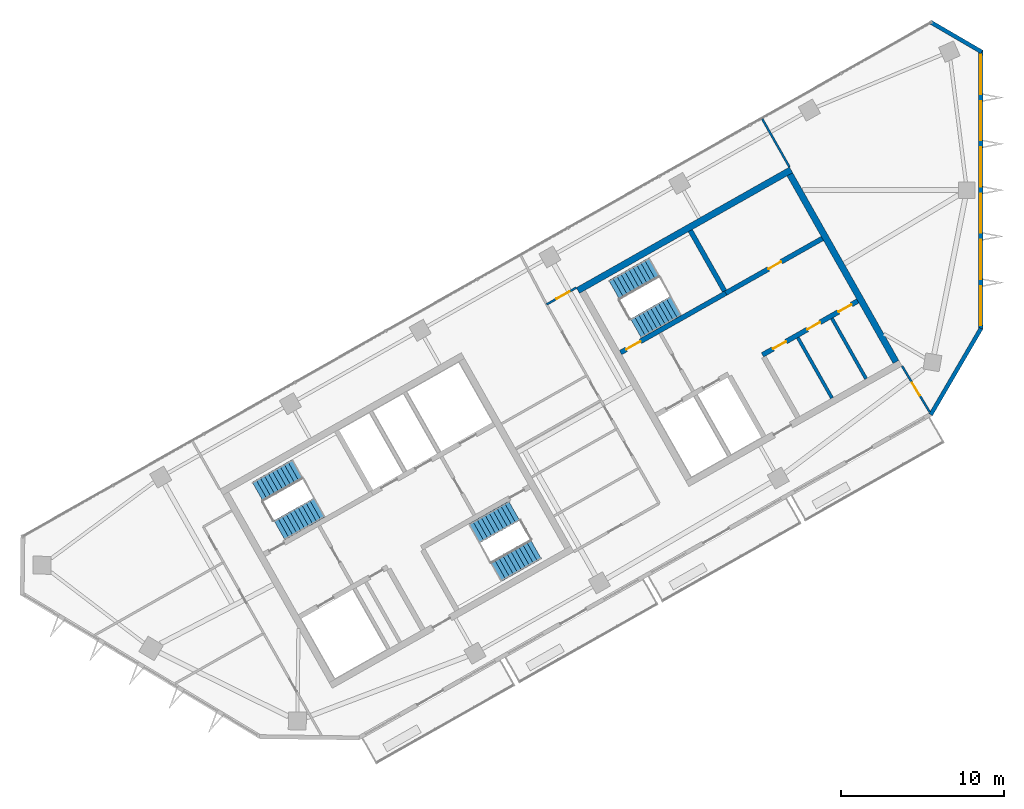
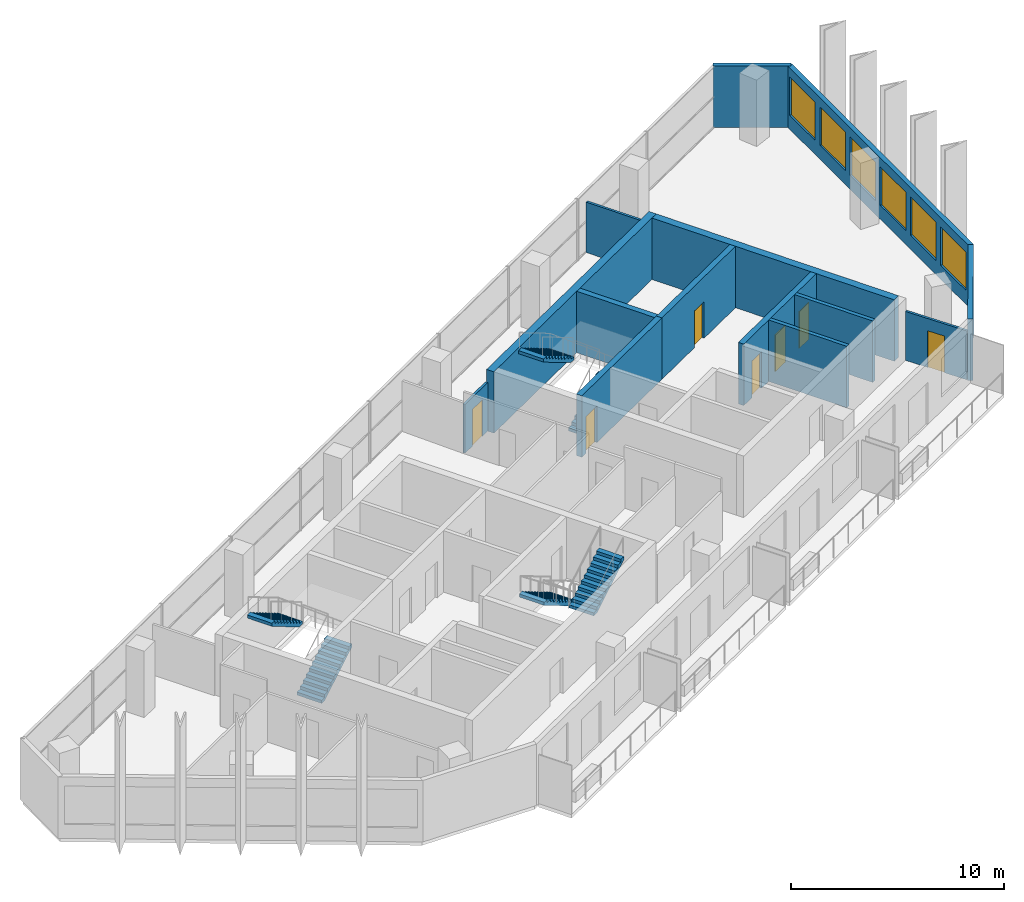
# One storey, part 8 of 10: 14 walls, 7 doors, 6 stair flights, 6 windows, 13 openings, 3 elements without a shape of their own.
"""IFC4 building model written with IfcOpenShell, lengths in metres."""

from ifc_helpers import new_model, si_unit, direction, frame, frame_2d, origin, place, context, subcontext, project, spatial, polyline, rectangle, outline, extrude, material, layer, layer_set, type_object, element, fill, aggregate, save


model = new_model("IFC4")

# Units and contexts
model_context = context("Model", 3, precision=1e-05, world=origin(), true_north=direction((0.0, 1.0)))
body_context = subcontext(model_context, "Body", "Model", "MODEL_VIEW")
ifc_project = project(units=[si_unit("LENGTHUNIT", "METRE"), si_unit("AREAUNIT", "SQUARE_METRE"), si_unit("VOLUMEUNIT", "CUBIC_METRE"), si_unit("PLANEANGLEUNIT", "RADIAN"), si_unit("MASSUNIT", "GRAM", prefix="KILO")], contexts=[model_context])

# Site, building, storey
site_placement = place(None, origin())
site = spatial("IfcSite", under=ifc_project, at=site_placement, CompositionType="ELEMENT")
building_placement = place(site_placement, origin())
building = spatial("IfcBuilding", under=site, at=building_placement, Name="Binnacle Exchange Tower", CompositionType="ELEMENT")
storey_placement = place(building_placement, frame((0.0, 0.0, 339.300048828125)))
storey = spatial("IfcBuildingStorey", under=building, at=storey_placement, Name="L77", CompositionType="ELEMENT", Elevation=339.300048828125)

# Walls
ifc_material_1 = material(Name="Gypsum partition fire rated")
ifc_layer_1 = layer(ifc_material_1, 0.199951171875)
ifc_layer_set_1 = layer_set([ifc_layer_1], Name="Core partition 200")
wall_type_1 = type_object("IfcWallType", Name="Core partition 200", PredefinedType="PARTITIONING", material=ifc_layer_set_1)
wall_1_placement = place(storey_placement, frame((-11.201904296875, 50.96240234375, 0.0), z_axis=(0.0, 0.0, 1.0), x_axis=(0.492441437811, -0.870345580977, 0.0)))
element("IfcWall", 1, at=wall_1_placement, inside=storey, type_object=wall_type_1, Name="Core wall CRWC19", PredefinedType="PARTITIONING", context=body_context, shape_type="SweptSolid", body=[
    extrude(rectangle(XDim=4.250244140625, YDim=0.199951171875, at=frame_2d((2.125, 0.0))), origin(), (0.0, 0.0, 1.0), 3.52001953125),
])
wall_2_placement = place(storey_placement, frame((-9.11279296875, 52.14404296875, 0.0), z_axis=(0.0, 0.0, 1.0), x_axis=(0.492422543467, -0.870356271124, 0.0)))
element("IfcWall", 2, at=wall_2_placement, inside=storey, type_object=wall_type_1, Name="Core wall CRWC22", PredefinedType="PARTITIONING", context=body_context, shape_type="SweptSolid", body=[
    extrude(rectangle(XDim=4.25, YDim=0.199951171875, at=frame_2d((2.125, 0.0))), origin(), (0.0, 0.0, 1.0), 3.52001953125),
])

# Wall, openings, doors
ifc_material_2 = material(Name="Concrete C70/85", Category="concrete")
ifc_layer_2 = layer(ifc_material_2, 0.300048828125)
ifc_layer_set_2 = layer_set([ifc_layer_2], Name="Core wall - front 300")
wall_type_2 = type_object("IfcWallType", Name="Core wall - front 300", PredefinedType="SOLIDWALL", material=ifc_layer_set_2)
wall_3_placement = place(storey_placement, frame((-13.364501953125, 49.910888671875, 0.0), z_axis=(0.0, 0.0, 1.0), x_axis=(0.870347618718, 0.492437836272, 0.0)))
wall_3 = element("IfcWall", 3, at=wall_3_placement, inside=storey, type_object=wall_type_2, Name="Core wall CRWC3", PredefinedType="SOLIDWALL", context=body_context, shape_type="SweptSolid", body=[
    extrude(rectangle(XDim=6.699951171875, YDim=0.300048828125, at=frame_2d((3.35009765625, 0.0))), origin(), (0.0, 0.0, 1.0), 3.52001953125),
])
opening_1_placement = place(wall_3_placement, frame((0.75, 0.0, 0.0)))
opening_1 = element("IfcOpeningElement", 4, at=opening_1_placement, cuts=wall_3, Name="Opening DC18", PredefinedType="OPENING", context=body_context, shape_type="SweptSolid", body=[
    extrude(rectangle(XDim=0.89990234375, YDim=2.10009765625, at=frame_2d((0.449951171875, 1.050048828125))), frame((0.0, 0.159912109375, 0.0), z_axis=(0.0, -1.0, 0.0), x_axis=(1.0, 0.0, 0.0)), (0.0, 0.0, 1.0), 0.320068359375),
])
opening_2_placement = place(wall_3_placement, frame((3.14990234375, 0.0, 0.0)))
opening_2 = element("IfcOpeningElement", 5, at=opening_2_placement, cuts=wall_3, Name="Opening DC19", PredefinedType="OPENING", context=body_context, shape_type="SweptSolid", body=[
    extrude(rectangle(XDim=0.89990234375, YDim=2.10009765625, at=frame_2d((0.449951171875, 1.050048828125))), frame((0.0, 0.159912109375, 0.0), z_axis=(0.0, -1.0, 0.0), x_axis=(1.0, 0.0, 0.0)), (0.0, 0.0, 1.0), 0.320068359375),
])
opening_3_placement = place(wall_3_placement, frame((5.35009765625, 0.0, 0.0)))
opening_3 = element("IfcOpeningElement", 6, at=opening_3_placement, cuts=wall_3, Name="Opening DC20", PredefinedType="OPENING", context=body_context, shape_type="SweptSolid", body=[
    extrude(rectangle(XDim=0.89990234375, YDim=2.10009765625, at=frame_2d((0.449951171875, 1.050048828125))), frame((0.0, 0.159912109375, 0.0), z_axis=(0.0, -1.0, 0.0), x_axis=(1.0, 0.0, 0.0)), (0.0, 0.0, 1.0), 0.320068359375),
])
ifc_material_3 = material(Name="Steel door leaf", Category="steel")
door_type_1 = type_object("IfcDoorType", Name="Fire door 900", OperationType="NOTDEFINED", PredefinedType="DOOR", material=ifc_material_3)
door_1_placement = place(opening_1_placement, frame((0.89990234375, 0.0, 0.0), z_axis=(0.0, 0.0, 1.0), x_axis=(-1.0, 0.0, 0.0)))
door_1 = element("IfcDoor", 7, at=door_1_placement, inside=storey, type_object=door_type_1, Name="Core room door FIBRE ENTRY ROOM", OperationType="SINGLE_SWING_RIGHT", OverallHeight=2.10009765625, OverallWidth=0.89990234375, PredefinedType="DOOR", context=body_context, shape_type="SweptSolid", body=[
    extrude(rectangle(XDim=0.89990234375, YDim=2.10009765625, at=frame_2d((0.449951171875, 1.050048828125))), frame((0.0, 0.02490234375, 0.0), z_axis=(0.0, -1.0, 0.0), x_axis=(1.0, 0.0, 0.0)), (0.0, 0.0, 1.0), 0.050048828125),
])
fill(opening_1, door_1)
door_2_placement = place(opening_2_placement, frame((0.89990234375, 0.0, 0.0), z_axis=(0.0, 0.0, 1.0), x_axis=(-1.0, 0.0, 0.0)))
door_2 = element("IfcDoor", 8, at=door_2_placement, inside=storey, type_object=door_type_1, Name="Core room door ELECTRICAL ROOM", OperationType="SINGLE_SWING_LEFT", OverallHeight=2.10009765625, OverallWidth=0.89990234375, PredefinedType="DOOR", context=body_context, shape_type="SweptSolid", body=[
    extrude(rectangle(XDim=0.89990234375, YDim=2.10009765625, at=frame_2d((0.449951171875, 1.050048828125))), frame((0.0, 0.02490234375, 0.0), z_axis=(0.0, -1.0, 0.0), x_axis=(1.0, 0.0, 0.0)), (0.0, 0.0, 1.0), 0.050048828125),
])
fill(opening_2, door_2)
door_3_placement = place(opening_3_placement, frame((0.89990234375, 0.0, 0.0), z_axis=(0.0, 0.0, 1.0), x_axis=(-1.0, 0.0, 0.0)))
door_3 = element("IfcDoor", 9, at=door_3_placement, inside=storey, type_object=door_type_1, Name="Core room door COMMS RISER ROOM", OperationType="SINGLE_SWING_LEFT", OverallHeight=2.10009765625, OverallWidth=0.89990234375, PredefinedType="DOOR", context=body_context, shape_type="SweptSolid", body=[
    extrude(rectangle(XDim=0.89990234375, YDim=2.10009765625, at=frame_2d((0.449951171875, 1.050048828125))), frame((0.0, 0.02490234375, 0.0), z_axis=(0.0, -1.0, 0.0), x_axis=(1.0, 0.0, 0.0)), (0.0, 0.0, 1.0), 0.050048828125),
])
fill(opening_3, door_3)

# Wall, opening, door
wall_4_placement = place(storey_placement, frame((-15.6181640625, 53.69140625, 0.0), z_axis=(0.0, 0.0, 1.0), x_axis=(0.870362830851, 0.492410948978, 0.0)))
wall_4 = element("IfcWall", 10, at=wall_4_placement, inside=storey, type_object=wall_type_2, Name="Core wall CRWC5", PredefinedType="SOLIDWALL", context=body_context, shape_type="SweptSolid", body=[
    extrude(rectangle(XDim=6.800048828125, YDim=0.300048828125, at=frame_2d((3.39990234375, 0.0))), origin(), (0.0, 0.0, 1.0), 3.52001953125),
])
opening_4_placement = place(wall_4_placement, frame((3.0, 0.0, 0.0)))
opening_4 = element("IfcOpeningElement", 11, at=opening_4_placement, cuts=wall_4, Name="Opening DC10", PredefinedType="OPENING", context=body_context, shape_type="SweptSolid", body=[
    extrude(rectangle(XDim=0.89990234375, YDim=2.10009765625, at=frame_2d((0.449951171875, 1.050048828125))), frame((0.0, 0.159912109375, 0.0), z_axis=(0.0, -1.0, 0.0), x_axis=(1.0, 0.0, 0.0)), (0.0, 0.0, 1.0), 0.320068359375),
])
door_4_placement = place(opening_4_placement, origin())
door_4 = element("IfcDoor", 12, at=door_4_placement, inside=storey, type_object=door_type_1, Name="Core room door WORKSHOP STORE", OperationType="SINGLE_SWING_RIGHT", OverallHeight=2.10009765625, OverallWidth=0.89990234375, PredefinedType="DOOR", context=body_context, shape_type="SweptSolid", body=[
    extrude(rectangle(XDim=0.89990234375, YDim=2.10009765625, at=frame_2d((0.449951171875, 1.050048828125))), frame((0.0, 0.02490234375, 0.0), z_axis=(0.0, -1.0, 0.0), x_axis=(1.0, 0.0, 0.0)), (0.0, 0.0, 1.0), 0.050048828125),
])
fill(opening_4, door_4)

# Walls
ifc_layer_3 = layer(ifc_material_2, 0.39990234375)
ifc_layer_set_3 = layer_set([ifc_layer_3], Name="Core wall - outer 400")
wall_type_3 = type_object("IfcWallType", Name="Core wall - outer 400", PredefinedType="SOLIDWALL", material=ifc_layer_set_3)
wall_5_placement = place(storey_placement, frame((-24.672119140625, 53.85400390625, 0.0), z_axis=(0.0, 0.0, 1.0), x_axis=(0.870353598469, 0.492427267353, 0.0)))
element("IfcWall", 13, at=wall_5_placement, inside=storey, type_object=wall_type_3, Name="Core wall CRWC6", PredefinedType="SOLIDWALL", context=body_context, shape_type="SweptSolid", body=[
    extrude(rectangle(XDim=15.000244140625, YDim=0.39990234375, at=frame_2d((7.5, 0.0))), origin(), (0.0, 0.0, 1.0), 3.52001953125),
])
wall_6_placement = place(storey_placement, frame((-11.6923828125, 60.968017578125, 0.0), z_axis=(0.0, 0.0, 1.0), x_axis=(0.492421663121, -0.870356769198, 0.0)))
element("IfcWall", 14, at=wall_6_placement, inside=storey, type_object=wall_type_3, Name="Core wall CRWC24", PredefinedType="SOLIDWALL", context=body_context, shape_type="SweptSolid", body=[
    extrude(rectangle(XDim=13.199951171875, YDim=0.39990234375, at=frame_2d((6.60009765625, 0.0))), origin(), (0.0, 0.0, 1.0), 3.52001953125),
])

# Wall, opening, door
ifc_layer_4 = layer(ifc_material_2, 0.300048828125)
ifc_layer_set_4 = layer_set([ifc_layer_4], Name="Core wall - stair 300")
wall_type_4 = type_object("IfcWallType", Name="Core wall - stair 300", PredefinedType="SOLIDWALL", material=ifc_layer_set_4)
wall_7_placement = place(storey_placement, frame((-22.058837890625, 50.04736328125, 0.0), z_axis=(0.0, 0.0, 1.0), x_axis=(0.87035077051, 0.49243226567, 0.0)))
wall_7 = element("IfcWall", 15, at=wall_7_placement, inside=storey, type_object=wall_type_4, Name="Core wall CRWC4", PredefinedType="SOLIDWALL", context=body_context, shape_type="SweptSolid", body=[
    extrude(rectangle(XDim=7.400146484375, YDim=0.300048828125, at=frame_2d((3.7001953125, 0.0))), origin(), (0.0, 0.0, 1.0), 3.52001953125),
])
opening_5_placement = place(wall_7_placement, frame((0.39990234375, 0.0, 0.0)))
opening_5 = element("IfcOpeningElement", 16, at=opening_5_placement, cuts=wall_7, Name="Opening DC1", PredefinedType="OPENING", context=body_context, shape_type="SweptSolid", body=[
    extrude(rectangle(XDim=1.0, YDim=2.10009765625, at=frame_2d((0.5, 1.050048828125))), frame((0.0, 0.159912109375, 0.0), z_axis=(0.0, -1.0, 0.0), x_axis=(1.0, 0.0, 0.0)), (0.0, 0.0, 1.0), 0.320068359375),
])
door_type_2 = type_object("IfcDoorType", Name="Fire door 1000", OperationType="NOTDEFINED", PredefinedType="DOOR", material=ifc_material_3)
door_5_placement = place(opening_5_placement, origin())
door_5 = element("IfcDoor", 17, at=door_5_placement, inside=storey, type_object=door_type_2, Name="Stair door ST-C1", OperationType="SINGLE_SWING_LEFT", OverallHeight=2.10009765625, OverallWidth=1.0, PredefinedType="DOOR", context=body_context, shape_type="SweptSolid", body=[
    extrude(rectangle(XDim=1.0, YDim=2.10009765625, at=frame_2d((0.5, 1.050048828125))), frame((0.0, 0.02490234375, 0.0), z_axis=(0.0, -1.0, 0.0), x_axis=(1.0, 0.0, 0.0)), (0.0, 0.0, 1.0), 0.050048828125),
])
fill(opening_5, door_5)

# Walls
wall_8_placement = place(storey_placement, frame((-17.784912109375, 57.52099609375, 0.0), z_axis=(0.0, 0.0, 1.0), x_axis=(0.492422543467, -0.870356271124, 0.0)))
element("IfcWall", 18, at=wall_8_placement, inside=storey, type_object=wall_type_4, Name="Core wall CRWC14", PredefinedType="SOLIDWALL", context=body_context, shape_type="SweptSolid", body=[
    extrude(rectangle(XDim=4.25, YDim=0.300048828125, at=frame_2d((2.125, 0.0))), origin(), (0.0, 0.0, 1.0), 3.52001953125),
])
ifc_material_4 = material(Name="Bronze aluminium cladding", Category="aluminium")
ifc_layer_5 = layer(ifc_material_4, 0.25)
ifc_layer_set_5 = layer_set([ifc_layer_5], Name="External wall - window wall 250")
wall_type_5 = type_object("IfcWallType", Name="External wall - window wall 250", PredefinedType="STANDARD", material=ifc_layer_set_5)
wall_9_placement = place(storey_placement, frame((0.01708984375, 51.529296875, 0.0), z_axis=(0.0, 0.0, 1.0), x_axis=(-0.503769237131, -0.863838269424, 0.0)))
element("IfcWall", 19, at=wall_9_placement, inside=storey, type_object=wall_type_5, Name="External wall EW-H00 L77", PredefinedType="STANDARD", context=body_context, shape_type="SweptSolid", body=[
    extrude(rectangle(XDim=6.114501953125, YDim=0.25, at=frame_2d((3.05712890625, 0.0))), origin(), (0.0, 0.0, 1.0), 3.52001953125),
])

# Wall, openings, windows
wall_10_placement = place(storey_placement, frame((0.0, 68.57177734375, 0.0), z_axis=(0.0, 0.0, 1.0), x_axis=(0.0, -1.0, 0.0)))
wall_10 = element("IfcWall", 20, at=wall_10_placement, inside=storey, type_object=wall_type_5, Name="External wall EW-H01 L77", PredefinedType="STANDARD", context=body_context, shape_type="SweptSolid", body=[
    extrude(rectangle(XDim=17.10546875, YDim=0.25, at=frame_2d((8.552734375, 0.0))), origin(), (0.0, 0.0, 1.0), 3.52001953125),
])
opening_6_placement = place(wall_10_placement, frame((14.455078125, 0.0, 0.800048828125)))
opening_6 = element("IfcOpeningElement", 21, at=opening_6_placement, cuts=wall_10, Name="Opening WR2", PredefinedType="OPENING", context=body_context, shape_type="SweptSolid", body=[
    extrude(rectangle(XDim=2.39990234375, YDim=2.199951171875, at=frame_2d((1.199951171875, 1.10009765625))), frame((0.0, 0.135009765625, 0.0), z_axis=(0.0, -1.0, 0.0), x_axis=(1.0, 0.0, 0.0)), (0.0, 0.0, 1.0), 0.27001953125),
])
opening_7_placement = place(wall_10_placement, frame((11.621826171875, 0.0, 0.800048828125)))
opening_7 = element("IfcOpeningElement", 22, at=opening_7_placement, cuts=wall_10, Name="Opening WR2", PredefinedType="OPENING", context=body_context, shape_type="SweptSolid", body=[
    extrude(rectangle(XDim=2.39990234375, YDim=2.199951171875, at=frame_2d((1.199951171875, 1.10009765625))), frame((0.0, 0.135009765625, 0.0), z_axis=(0.0, -1.0, 0.0), x_axis=(1.0, 0.0, 0.0)), (0.0, 0.0, 1.0), 0.27001953125),
])
opening_8_placement = place(wall_10_placement, frame((8.78857421875, 0.0, 0.800048828125)))
opening_8 = element("IfcOpeningElement", 23, at=opening_8_placement, cuts=wall_10, Name="Opening WR2", PredefinedType="OPENING", context=body_context, shape_type="SweptSolid", body=[
    extrude(rectangle(XDim=2.39990234375, YDim=2.199951171875, at=frame_2d((1.199951171875, 1.10009765625))), frame((0.0, 0.135009765625, 0.0), z_axis=(0.0, -1.0, 0.0), x_axis=(1.0, 0.0, 0.0)), (0.0, 0.0, 1.0), 0.27001953125),
])
opening_9_placement = place(wall_10_placement, frame((5.955078125, 0.0, 0.800048828125)))
opening_9 = element("IfcOpeningElement", 24, at=opening_9_placement, cuts=wall_10, Name="Opening WR2", PredefinedType="OPENING", context=body_context, shape_type="SweptSolid", body=[
    extrude(rectangle(XDim=2.39990234375, YDim=2.199951171875, at=frame_2d((1.199951171875, 1.10009765625))), frame((0.0, 0.135009765625, 0.0), z_axis=(0.0, -1.0, 0.0), x_axis=(1.0, 0.0, 0.0)), (0.0, 0.0, 1.0), 0.27001953125),
])
opening_10_placement = place(wall_10_placement, frame((3.121826171875, 0.0, 0.800048828125)))
opening_10 = element("IfcOpeningElement", 25, at=opening_10_placement, cuts=wall_10, Name="Opening WR2", PredefinedType="OPENING", context=body_context, shape_type="SweptSolid", body=[
    extrude(rectangle(XDim=2.39990234375, YDim=2.199951171875, at=frame_2d((1.199951171875, 1.10009765625))), frame((0.0, 0.135009765625, 0.0), z_axis=(0.0, -1.0, 0.0), x_axis=(1.0, 0.0, 0.0)), (0.0, 0.0, 1.0), 0.27001953125),
])
opening_11_placement = place(wall_10_placement, frame((0.28857421875, 0.0, 0.800048828125)))
opening_11 = element("IfcOpeningElement", 26, at=opening_11_placement, cuts=wall_10, Name="Opening WR2", PredefinedType="OPENING", context=body_context, shape_type="SweptSolid", body=[
    extrude(rectangle(XDim=2.39990234375, YDim=2.199951171875, at=frame_2d((1.199951171875, 1.10009765625))), frame((0.0, 0.135009765625, 0.0), z_axis=(0.0, -1.0, 0.0), x_axis=(1.0, 0.0, 0.0)), (0.0, 0.0, 1.0), 0.27001953125),
])
ifc_material_5 = material(Name="Bronze anodised aluminium frame", Category="aluminium")
window_type = type_object("IfcWindowType", Name="WR2 WINDOW 2400x2200", PartitioningType="SINGLE_PANEL", PredefinedType="WINDOW", material=ifc_material_5)
window_1_placement = place(opening_6_placement, origin())
window_1 = element("IfcWindow", 27, at=window_1_placement, inside=storey, type_object=window_type, Name="Window WR2 L77", OverallHeight=2.199951171875, OverallWidth=2.39990234375, PartitioningType="SINGLE_PANEL", PredefinedType="WINDOW", context=body_context, shape_type="SweptSolid", body=[
    extrude(rectangle(XDim=2.39990234375, YDim=2.199951171875, at=frame_2d((1.199951171875, 1.10009765625))), frame((0.0, 0.030029296875, 0.0), z_axis=(0.0, -1.0, 0.0), x_axis=(1.0, 0.0, 0.0)), (0.0, 0.0, 1.0), 0.06005859375),
])
fill(opening_6, window_1)
window_2_placement = place(opening_7_placement, origin())
window_2 = element("IfcWindow", 28, at=window_2_placement, inside=storey, type_object=window_type, Name="Window WR2 L77", OverallHeight=2.199951171875, OverallWidth=2.39990234375, PartitioningType="SINGLE_PANEL", PredefinedType="WINDOW", context=body_context, shape_type="SweptSolid", body=[
    extrude(rectangle(XDim=2.39990234375, YDim=2.199951171875, at=frame_2d((1.199951171875, 1.10009765625))), frame((0.0, 0.030029296875, 0.0), z_axis=(0.0, -1.0, 0.0), x_axis=(1.0, 0.0, 0.0)), (0.0, 0.0, 1.0), 0.06005859375),
])
fill(opening_7, window_2)
window_3_placement = place(opening_8_placement, origin())
window_3 = element("IfcWindow", 29, at=window_3_placement, inside=storey, type_object=window_type, Name="Window WR2 L77", OverallHeight=2.199951171875, OverallWidth=2.39990234375, PartitioningType="SINGLE_PANEL", PredefinedType="WINDOW", context=body_context, shape_type="SweptSolid", body=[
    extrude(rectangle(XDim=2.39990234375, YDim=2.199951171875, at=frame_2d((1.199951171875, 1.10009765625))), frame((0.0, 0.030029296875, 0.0), z_axis=(0.0, -1.0, 0.0), x_axis=(1.0, 0.0, 0.0)), (0.0, 0.0, 1.0), 0.06005859375),
])
fill(opening_8, window_3)
window_4_placement = place(opening_9_placement, origin())
window_4 = element("IfcWindow", 30, at=window_4_placement, inside=storey, type_object=window_type, Name="Window WR2 L77", OverallHeight=2.199951171875, OverallWidth=2.39990234375, PartitioningType="SINGLE_PANEL", PredefinedType="WINDOW", context=body_context, shape_type="SweptSolid", body=[
    extrude(rectangle(XDim=2.39990234375, YDim=2.199951171875, at=frame_2d((1.199951171875, 1.10009765625))), frame((0.0, 0.030029296875, 0.0), z_axis=(0.0, -1.0, 0.0), x_axis=(1.0, 0.0, 0.0)), (0.0, 0.0, 1.0), 0.06005859375),
])
fill(opening_9, window_4)
window_5_placement = place(opening_10_placement, origin())
window_5 = element("IfcWindow", 31, at=window_5_placement, inside=storey, type_object=window_type, Name="Window WR2 L77", OverallHeight=2.199951171875, OverallWidth=2.39990234375, PartitioningType="SINGLE_PANEL", PredefinedType="WINDOW", context=body_context, shape_type="SweptSolid", body=[
    extrude(rectangle(XDim=2.39990234375, YDim=2.199951171875, at=frame_2d((1.199951171875, 1.10009765625))), frame((0.0, 0.030029296875, 0.0), z_axis=(0.0, -1.0, 0.0), x_axis=(1.0, 0.0, 0.0)), (0.0, 0.0, 1.0), 0.06005859375),
])
fill(opening_10, window_5)
window_6_placement = place(opening_11_placement, origin())
window_6 = element("IfcWindow", 32, at=window_6_placement, inside=storey, type_object=window_type, Name="Window WR2 L77", OverallHeight=2.199951171875, OverallWidth=2.39990234375, PartitioningType="SINGLE_PANEL", PredefinedType="WINDOW", context=body_context, shape_type="SweptSolid", body=[
    extrude(rectangle(XDim=2.39990234375, YDim=2.199951171875, at=frame_2d((1.199951171875, 1.10009765625))), frame((0.0, 0.030029296875, 0.0), z_axis=(0.0, -1.0, 0.0), x_axis=(1.0, 0.0, 0.0)), (0.0, 0.0, 1.0), 0.06005859375),
])
fill(opening_11, window_6)

# Wall
wall_11_placement = place(storey_placement, frame((-3.108154296875, 70.312744140625, 0.0), z_axis=(0.0, 0.0, 1.0), x_axis=(0.86382474085, -0.503792434536, 0.0)))
element("IfcWall", 33, at=wall_11_placement, inside=storey, type_object=wall_type_5, Name="External wall EW-H02 L77", PredefinedType="STANDARD", context=body_context, shape_type="SweptSolid", body=[
    extrude(rectangle(XDim=3.669921875, YDim=0.25, at=frame_2d((1.8349609375, 0.0))), origin(), (0.0, 0.0, 1.0), 3.52001953125),
])

# Wall, opening, door
ifc_material_6 = material(Name="Gypsum partition")
ifc_layer_6 = layer(ifc_material_6, 0.125)
ifc_layer_set_6 = layer_set([ifc_layer_6], Name="Partition 125")
wall_type_6 = type_object("IfcWallType", Name="Partition 125", PredefinedType="PARTITIONING", material=ifc_layer_set_6)
wall_12_placement = place(storey_placement, frame((-26.590087890625, 52.9990234375, 0.0), z_axis=(0.0, 0.0, 1.0), x_axis=(0.870384380082, 0.492372857609, 0.0)))
wall_12 = element("IfcWall", 34, at=wall_12_placement, inside=storey, type_object=wall_type_6, Name="Partition W12", PredefinedType="PARTITIONING", context=body_context, shape_type="SweptSolid", body=[
    extrude(rectangle(XDim=2.090087890625, YDim=0.125, at=frame_2d((1.044921875, 0.0))), origin(), (0.0, 0.0, 1.0), 2.7919921875),
])
opening_12_placement = place(wall_12_placement, frame((0.699951171875, 0.0, 0.0)))
opening_12 = element("IfcOpeningElement", 35, at=opening_12_placement, cuts=wall_12, Name="Opening DL77-09", PredefinedType="OPENING", context=body_context, shape_type="SweptSolid", body=[
    extrude(rectangle(XDim=0.89990234375, YDim=2.10009765625, at=frame_2d((0.449951171875, 1.050048828125))), frame((0.0, 0.072509765625, 0.0), z_axis=(0.0, -1.0, 0.0), x_axis=(1.0, 0.0, 0.0)), (0.0, 0.0, 1.0), 0.14501953125),
])
ifc_material_7 = material(Name="Timber door leaf", Category="wood")
door_type_3 = type_object("IfcDoorType", Name="Door 900", OperationType="NOTDEFINED", PredefinedType="DOOR", material=ifc_material_7)
door_6_placement = place(opening_12_placement, origin())
door_6 = element("IfcDoor", 36, at=door_6_placement, inside=storey, type_object=door_type_3, Name="Door DL77-09", OperationType="SINGLE_SWING_RIGHT", OverallHeight=2.10009765625, OverallWidth=0.89990234375, PredefinedType="DOOR", context=body_context, shape_type="SweptSolid", body=[
    extrude(rectangle(XDim=0.89990234375, YDim=2.10009765625, at=frame_2d((0.449951171875, 1.050048828125))), frame((0.0, 0.02490234375, 0.0), z_axis=(0.0, -1.0, 0.0), x_axis=(1.0, 0.0, 0.0)), (0.0, 0.0, 1.0), 0.050048828125),
])
fill(opening_12, door_6)

# Wall
wall_13_placement = place(storey_placement, frame((-13.382080078125, 64.360107421875, 0.0), z_axis=(0.0, 0.0, 1.0), x_axis=(0.492468354667, -0.870330350874, 0.0)))
element("IfcWall", 37, at=wall_13_placement, inside=storey, type_object=wall_type_6, Name="Partition W20", PredefinedType="PARTITIONING", context=body_context, shape_type="SweptSolid", body=[
    extrude(rectangle(XDim=3.385009765625, YDim=0.125, at=frame_2d((1.6923828125, 0.0))), origin(), (0.0, 0.0, 1.0), 2.887939453125),
])

# Wall, opening, door
wall_14_placement = place(storey_placement, frame((-4.821044921875, 49.22998046875, 0.0), z_axis=(0.0, 0.0, 1.0), x_axis=(0.515006587647, -0.857186219371, 0.0)))
wall_14 = element("IfcWall", 38, at=wall_14_placement, inside=storey, type_object=wall_type_6, Name="Partition W21", PredefinedType="PARTITIONING", context=body_context, shape_type="SweptSolid", body=[
    extrude(rectangle(XDim=3.302734375, YDim=0.125, at=frame_2d((1.6513671875, 0.0))), origin(), (0.0, 0.0, 1.0), 2.800048828125),
])
opening_13_placement = place(wall_14_placement, frame((1.199951171875, 0.0, 0.0)))
opening_13 = element("IfcOpeningElement", 39, at=opening_13_placement, cuts=wall_14, Name="Opening DL77-10", PredefinedType="OPENING", context=body_context, shape_type="SweptSolid", body=[
    extrude(rectangle(XDim=0.89990234375, YDim=2.10009765625, at=frame_2d((0.449951171875, 1.050048828125))), frame((0.0, 0.072509765625, 0.0), z_axis=(0.0, -1.0, 0.0), x_axis=(1.0, 0.0, 0.0)), (0.0, 0.0, 1.0), 0.14501953125),
])
door_7_placement = place(opening_13_placement, origin())
door_7 = element("IfcDoor", 40, at=door_7_placement, inside=storey, type_object=door_type_3, Name="Door DL77-10", OperationType="SINGLE_SWING_LEFT", OverallHeight=2.10009765625, OverallWidth=0.89990234375, PredefinedType="DOOR", context=body_context, shape_type="SweptSolid", body=[
    extrude(rectangle(XDim=0.89990234375, YDim=2.10009765625, at=frame_2d((0.449951171875, 1.050048828125))), frame((0.0, 0.02490234375, 0.0), z_axis=(0.0, -1.0, 0.0), x_axis=(1.0, 0.0, 0.0)), (0.0, 0.0, 1.0), 0.050048828125),
])
fill(opening_13, door_7)

# Stair, stair flights
ifc_material_8 = material(Name="Concrete C35/45", Category="concrete")
stair_type = type_object("IfcStairType", Name="STAIR 22 RISERS 173", PredefinedType="HALF_TURN_STAIR", material=ifc_material_8)
stair_1_placement = place(storey_placement, origin())
stair_1 = element("IfcStair", 41, at=stair_1_placement, inside=storey, type_object=stair_type, Name="L77 Escape stair A1", PredefinedType="HALF_TURN_STAIR")
stair_flight_type = type_object("IfcStairFlightType", Name="STAIR FLIGHT 173X280", PredefinedType="STRAIGHT", material=ifc_material_8)
stair_flight_1_placement = place(storey_placement, frame((-42.9541015625, 39.17333984375, 0.0), z_axis=(0.0, 0.0, 1.0), x_axis=(0.870355584213, 0.492423757581, 0.0)))
stair_flight_1 = element("IfcStairFlight", 42, at=stair_flight_1_placement, type_object=stair_flight_type, Name="STA1 flight 1", NumberOfRisers=11, NumberOfTreads=10, PredefinedType="STRAIGHT", RiserHeight=0.172727273, TreadLength=0.28, context=body_context, shape_type="SweptSolid", body=[
    extrude(outline(polyline([(0.0, 0.0), (0.0, 0.172607421875), (0.280029296875, 0.172607421875), (0.280029296875, 0.345458984375), (0.56005859375, 0.345458984375), (0.56005859375, 0.51806640625), (0.840087890625, 0.51806640625), (0.840087890625, 0.69091796875), (1.1201171875, 0.69091796875), (1.1201171875, 0.863525390625), (1.39990234375, 0.863525390625), (1.39990234375, 1.036376953125), (1.679931640625, 1.036376953125), (1.679931640625, 1.208984375), (1.9599609375, 1.208984375), (1.9599609375, 1.3818359375), (2.239990234375, 1.3818359375), (2.239990234375, 1.554443359375), (2.52001953125, 1.554443359375), (2.52001953125, 1.727294921875), (2.800048828125, 1.727294921875), (2.800048828125, 1.89990234375), (2.800048828125, 1.551025390625), (0.285400390625, 0.0), (0.0, 0.0)])), frame((0.0, 0.675048828125, 0.0), z_axis=(0.0, -1.0, 0.0), x_axis=(1.0, 0.0, 0.0)), (0.0, 0.0, 1.0), 1.35009765625),
])
stair_flight_2_placement = place(storey_placement, frame((-41.846435546875, 42.902099609375, 1.89990234375), z_axis=(0.0, 0.0, 1.0), x_axis=(-0.870355584213, -0.492423757581, 0.0)))
stair_flight_2 = element("IfcStairFlight", 43, at=stair_flight_2_placement, type_object=stair_flight_type, Name="STA1 flight 2", NumberOfRisers=11, NumberOfTreads=10, PredefinedType="STRAIGHT", RiserHeight=0.172727273, TreadLength=0.28, context=body_context, shape_type="SweptSolid", body=[
    extrude(outline(polyline([(0.0, 0.0), (0.0, 0.172607421875), (0.280029296875, 0.172607421875), (0.280029296875, 0.345458984375), (0.56005859375, 0.345458984375), (0.56005859375, 0.51806640625), (0.840087890625, 0.51806640625), (0.840087890625, 0.69091796875), (1.1201171875, 0.69091796875), (1.1201171875, 0.863525390625), (1.39990234375, 0.863525390625), (1.39990234375, 1.036376953125), (1.679931640625, 1.036376953125), (1.679931640625, 1.208984375), (1.9599609375, 1.208984375), (1.9599609375, 1.3818359375), (2.239990234375, 1.3818359375), (2.239990234375, 1.554443359375), (2.52001953125, 1.554443359375), (2.52001953125, 1.727294921875), (2.800048828125, 1.727294921875), (2.800048828125, 1.89990234375), (2.800048828125, 1.551025390625), (0.285400390625, 0.0), (0.0, 0.0)])), frame((0.0, 0.675048828125, 0.0), z_axis=(0.0, -1.0, 0.0), x_axis=(1.0, 0.0, 0.0)), (0.0, 0.0, 1.0), 1.35009765625),
])
aggregate(stair_1, [stair_flight_1, stair_flight_2])

stair_2_placement = place(storey_placement, origin())
stair_2 = element("IfcStair", 44, at=stair_2_placement, inside=storey, type_object=stair_type, Name="L77 Escape stair A2", PredefinedType="HALF_TURN_STAIR")
stair_flight_3_placement = place(storey_placement, frame((-28.5732421875, 40.3583984375, 0.0), z_axis=(0.0, 0.0, 1.0), x_axis=(-0.870355584213, -0.492423757581, 0.0)))
stair_flight_3 = element("IfcStairFlight", 45, at=stair_flight_3_placement, type_object=stair_flight_type, Name="STA2 flight 1", NumberOfRisers=11, NumberOfTreads=10, PredefinedType="STRAIGHT", RiserHeight=0.172727273, TreadLength=0.28, context=body_context, shape_type="SweptSolid", body=[
    extrude(outline(polyline([(0.0, 0.0), (0.0, 0.172607421875), (0.280029296875, 0.172607421875), (0.280029296875, 0.345458984375), (0.56005859375, 0.345458984375), (0.56005859375, 0.51806640625), (0.840087890625, 0.51806640625), (0.840087890625, 0.69091796875), (1.1201171875, 0.69091796875), (1.1201171875, 0.863525390625), (1.39990234375, 0.863525390625), (1.39990234375, 1.036376953125), (1.679931640625, 1.036376953125), (1.679931640625, 1.208984375), (1.9599609375, 1.208984375), (1.9599609375, 1.3818359375), (2.239990234375, 1.3818359375), (2.239990234375, 1.554443359375), (2.52001953125, 1.554443359375), (2.52001953125, 1.727294921875), (2.800048828125, 1.727294921875), (2.800048828125, 1.89990234375), (2.800048828125, 1.551025390625), (0.285400390625, 0.0), (0.0, 0.0)])), frame((0.0, 0.675048828125, 0.0), z_axis=(0.0, -1.0, 0.0), x_axis=(1.0, 0.0, 0.0)), (0.0, 0.0, 1.0), 1.35009765625),
])
stair_flight_4_placement = place(storey_placement, frame((-29.6806640625, 36.629638671875, 1.89990234375), z_axis=(0.0, 0.0, 1.0), x_axis=(0.870355584213, 0.492423757581, 0.0)))
stair_flight_4 = element("IfcStairFlight", 46, at=stair_flight_4_placement, type_object=stair_flight_type, Name="STA2 flight 2", NumberOfRisers=11, NumberOfTreads=10, PredefinedType="STRAIGHT", RiserHeight=0.172727273, TreadLength=0.28, context=body_context, shape_type="SweptSolid", body=[
    extrude(outline(polyline([(0.0, 0.0), (0.0, 0.172607421875), (0.280029296875, 0.172607421875), (0.280029296875, 0.345458984375), (0.56005859375, 0.345458984375), (0.56005859375, 0.51806640625), (0.840087890625, 0.51806640625), (0.840087890625, 0.69091796875), (1.1201171875, 0.69091796875), (1.1201171875, 0.863525390625), (1.39990234375, 0.863525390625), (1.39990234375, 1.036376953125), (1.679931640625, 1.036376953125), (1.679931640625, 1.208984375), (1.9599609375, 1.208984375), (1.9599609375, 1.3818359375), (2.239990234375, 1.3818359375), (2.239990234375, 1.554443359375), (2.52001953125, 1.554443359375), (2.52001953125, 1.727294921875), (2.800048828125, 1.727294921875), (2.800048828125, 1.89990234375), (2.800048828125, 1.551025390625), (0.285400390625, 0.0), (0.0, 0.0)])), frame((0.0, 0.675048828125, 0.0), z_axis=(0.0, -1.0, 0.0), x_axis=(1.0, 0.0, 0.0)), (0.0, 0.0, 1.0), 1.35009765625),
])
aggregate(stair_2, [stair_flight_3, stair_flight_4])

stair_3_placement = place(storey_placement, origin())
stair_3 = element("IfcStair", 47, at=stair_3_placement, inside=storey, type_object=stair_type, Name="L77 Escape stair C1", PredefinedType="HALF_TURN_STAIR")
stair_flight_5_placement = place(storey_placement, frame((-21.115966796875, 51.528564453125, 0.0), z_axis=(0.0, 0.0, 1.0), x_axis=(0.870355584213, 0.492423757581, 0.0)))
stair_flight_5 = element("IfcStairFlight", 48, at=stair_flight_5_placement, type_object=stair_flight_type, Name="STC1 flight 1", NumberOfRisers=11, NumberOfTreads=10, PredefinedType="STRAIGHT", RiserHeight=0.172727273, TreadLength=0.28, context=body_context, shape_type="SweptSolid", body=[
    extrude(outline(polyline([(0.0, 0.0), (0.0, 0.172607421875), (0.280029296875, 0.172607421875), (0.280029296875, 0.345458984375), (0.56005859375, 0.345458984375), (0.56005859375, 0.51806640625), (0.840087890625, 0.51806640625), (0.840087890625, 0.69091796875), (1.1201171875, 0.69091796875), (1.1201171875, 0.863525390625), (1.39990234375, 0.863525390625), (1.39990234375, 1.036376953125), (1.679931640625, 1.036376953125), (1.679931640625, 1.208984375), (1.9599609375, 1.208984375), (1.9599609375, 1.3818359375), (2.239990234375, 1.3818359375), (2.239990234375, 1.554443359375), (2.52001953125, 1.554443359375), (2.52001953125, 1.727294921875), (2.800048828125, 1.727294921875), (2.800048828125, 1.89990234375), (2.800048828125, 1.551025390625), (0.285400390625, 0.0), (0.0, 0.0)])), frame((0.0, 0.675048828125, 0.0), z_axis=(0.0, -1.0, 0.0), x_axis=(1.0, 0.0, 0.0)), (0.0, 0.0, 1.0), 1.35009765625),
])
stair_flight_6_placement = place(storey_placement, frame((-20.008544921875, 55.25732421875, 1.89990234375), z_axis=(0.0, 0.0, 1.0), x_axis=(-0.870355584213, -0.492423757581, 0.0)))
stair_flight_6 = element("IfcStairFlight", 49, at=stair_flight_6_placement, type_object=stair_flight_type, Name="STC1 flight 2", NumberOfRisers=11, NumberOfTreads=10, PredefinedType="STRAIGHT", RiserHeight=0.172727273, TreadLength=0.28, context=body_context, shape_type="SweptSolid", body=[
    extrude(outline(polyline([(0.0, 0.0), (0.0, 0.172607421875), (0.280029296875, 0.172607421875), (0.280029296875, 0.345458984375), (0.56005859375, 0.345458984375), (0.56005859375, 0.51806640625), (0.840087890625, 0.51806640625), (0.840087890625, 0.69091796875), (1.1201171875, 0.69091796875), (1.1201171875, 0.863525390625), (1.39990234375, 0.863525390625), (1.39990234375, 1.036376953125), (1.679931640625, 1.036376953125), (1.679931640625, 1.208984375), (1.9599609375, 1.208984375), (1.9599609375, 1.3818359375), (2.239990234375, 1.3818359375), (2.239990234375, 1.554443359375), (2.52001953125, 1.554443359375), (2.52001953125, 1.727294921875), (2.800048828125, 1.727294921875), (2.800048828125, 1.89990234375), (2.800048828125, 1.551025390625), (0.285400390625, 0.0), (0.0, 0.0)])), frame((0.0, 0.675048828125, 0.0), z_axis=(0.0, -1.0, 0.0), x_axis=(1.0, 0.0, 0.0)), (0.0, 0.0, 1.0), 1.35009765625),
])
aggregate(stair_3, [stair_flight_5, stair_flight_6])

save(model, "model.ifc")
